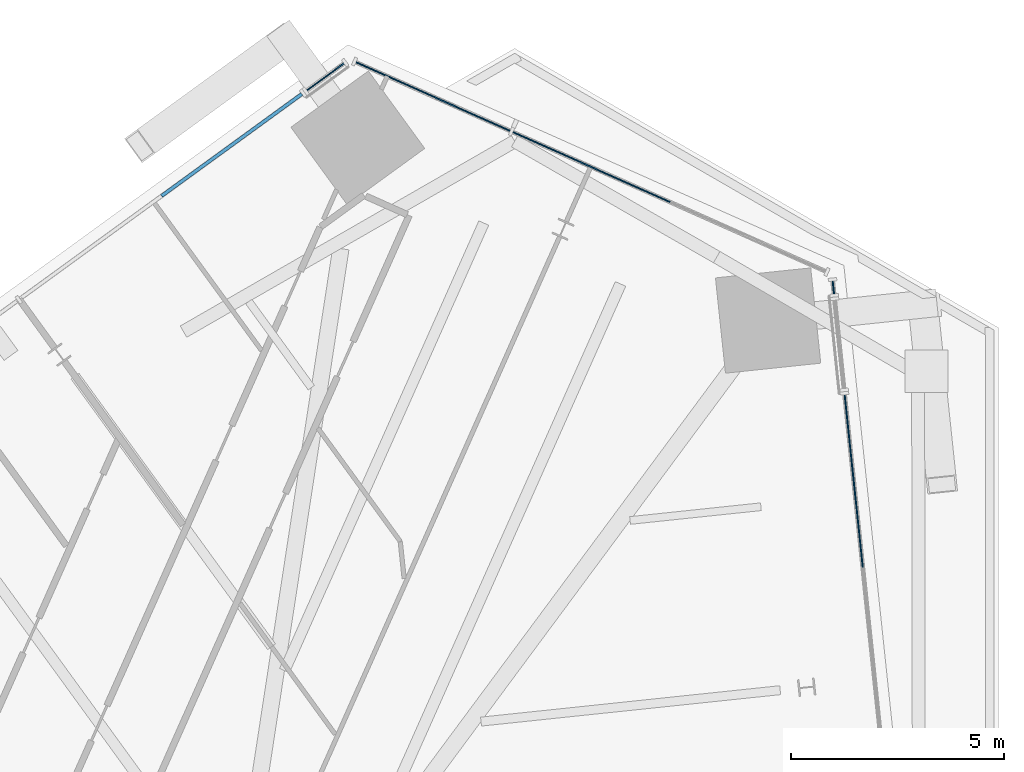
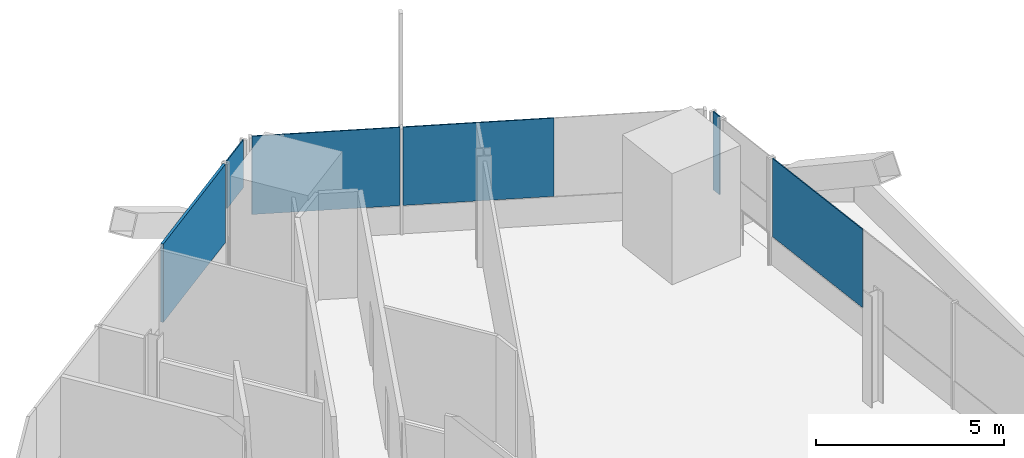
# One storey, part 14 of 24: 6 plates, 5 elements without a shape of their own.
"""IFC4 building model written with IfcOpenShell, lengths in metres."""

from ifc_helpers import new_model, si_unit, direction, frame, origin, origin_2d, place, context, subcontext, project, spatial, rectangle, extrude, source, transform, mapped, material, layer, layer_set, type_object, element, aggregate, save


model = new_model("IFC4")

# Units and contexts
model_context = context("Model", 3, precision=1e-05, world=origin(), true_north=direction((0.0, 1.0)))
body_context = subcontext(model_context, "Body", "Model", "MODEL_VIEW")
ifc_project = project(units=[si_unit("LENGTHUNIT", "METRE"), si_unit("AREAUNIT", "SQUARE_METRE"), si_unit("VOLUMEUNIT", "CUBIC_METRE"), si_unit("PLANEANGLEUNIT", "RADIAN"), si_unit("MASSUNIT", "GRAM", prefix="KILO")], contexts=[model_context])

# Site, building, storey
site_placement = place(None, origin())
site = spatial("IfcSite", under=ifc_project, at=site_placement, CompositionType="ELEMENT")
building_placement = place(site_placement, origin())
building = spatial("IfcBuilding", under=site, at=building_placement, Name="Triune Harvest Tower", CompositionType="ELEMENT")
storey_placement = place(building_placement, frame((0.0, 0.0, 58.5)))
storey = spatial("IfcBuildingStorey", under=building, at=storey_placement, Name="L13", CompositionType="ELEMENT", Elevation=58.5)

# Curtain wall, plate
ifc_material_1 = material(Name="Aluminium bronze anodised", Category="aluminium")
curtain_wall_type_1 = type_object("IfcCurtainWallType", Name="CW-1 Tower stick curtain wall", PredefinedType="NOTDEFINED", material=ifc_material_1)
curtain_wall_1_placement = place(storey_placement, origin())
curtain_wall_1 = element("IfcCurtainWall", 1, at=curtain_wall_1_placement, inside=storey, type_object=curtain_wall_type_1, Name="CW-1 B2-F3 L13 run 1")
ifc_material_2 = material(Name="Glass", Category="glass")
ifc_layer_1 = layer(ifc_material_2, 0.031982421875)
ifc_layer_set_1 = layer_set([ifc_layer_1], Name="Glass")
plate_type_1 = type_object("IfcPlateType", Name="GL-1 panel 32", PredefinedType="CURTAIN_PANEL", material=ifc_layer_set_1)
shared_shape_1 = source(origin(), body_context, "Body", "SweptSolid", [
    extrude(rectangle(XDim=1.07177734375, YDim=0.031982421875, at=origin_2d()), origin(), (0.0, 0.0, 1.0), 1.554931640625),
])
plate_1_placement = place(storey_placement, frame((7.864990234375, 33.770263671875, 1.88525390625), z_axis=(0.0, 0.0, 1.0), x_axis=(-0.809012047405, -0.587792061152, 0.0)))
plate_1 = element("IfcPlate", 2, at=plate_1_placement, type_object=plate_type_1, Name="CW-1 panel B2-F3 1.1", PredefinedType="CURTAIN_PANEL", context=body_context, shape_type="MappedRepresentation", body=[
    mapped(shared_shape_1, transform((0.0, 0.0, 0.0), scale=1.0)),
])
aggregate(curtain_wall_1, [plate_1])

ifc_material_3 = material(Name="Aluminium bronze anodised", Category="aluminium")
curtain_wall_type_2 = type_object("IfcCurtainWallType", Name="CW-7 Tower stick curtain wall with insulated spandrel infill", PredefinedType="NOTDEFINED", material=ifc_material_3)
curtain_wall_2_placement = place(storey_placement, origin())
curtain_wall_2 = element("IfcCurtainWall", 3, at=curtain_wall_2_placement, inside=storey, type_object=curtain_wall_type_2, Name="CW-7 B2-F3 L13 run 101")
ifc_material_4 = material(Name="Insulated spandrel panel, bronze aluminium pan", Category="aluminium")
ifc_layer_2 = layer(ifc_material_4, 0.080078125)
ifc_layer_set_2 = layer_set([ifc_layer_2], Name="Insulated spandrel panel, bronze aluminium pan")
plate_type_2 = type_object("IfcPlateType", Name="SP-1 insulated spandrel panel 80", PredefinedType="CURTAIN_PANEL", material=ifc_layer_set_2)
shared_shape_2 = source(origin(), body_context, "Body", "SweptSolid", [
    extrude(rectangle(XDim=4.070068359375, YDim=0.080078125, at=origin_2d()), origin(), (0.0, 0.0, 1.0), 2.5400390625),
])
plate_2_placement = place(storey_placement, frame((5.66357421875, 32.1708984375, 0.89990234375), z_axis=(0.0, 0.0, 1.0), x_axis=(-0.809018452885, -0.587783244821, 0.0)))
plate_2 = element("IfcPlate", 4, at=plate_2_placement, type_object=plate_type_2, Name="CW-7 panel B2-F3 101.1", PredefinedType="CURTAIN_PANEL", context=body_context, shape_type="MappedRepresentation", body=[
    mapped(shared_shape_2, transform((0.0, 0.0, 0.0), scale=1.0)),
])
aggregate(curtain_wall_2, [plate_2])

curtain_wall_3_placement = place(storey_placement, origin())
curtain_wall_3 = element("IfcCurtainWall", 5, at=curtain_wall_3_placement, inside=storey, type_object=curtain_wall_type_1, Name="CW-1 B2-F1 L13 run 1101")
shared_shape_3 = source(origin(), body_context, "Body", "SweptSolid", [
    extrude(rectangle(XDim=4.070068359375, YDim=0.031982421875, at=origin_2d()), origin(), (0.0, 0.0, 1.0), 2.5400390625),
])
plate_3_placement = place(storey_placement, frame((20.270751953125, 24.280517578125, 0.89990234375), z_axis=(0.0, 0.0, 1.0), x_axis=(-0.104528432145, 0.994521898639, 0.0)))
plate_3 = element("IfcPlate", 6, at=plate_3_placement, type_object=plate_type_1, Name="CW-1 panel B2-F1 1101.8", PredefinedType="CURTAIN_PANEL", context=body_context, shape_type="MappedRepresentation", body=[
    mapped(shared_shape_3, transform((0.0, 0.0, 0.0), scale=1.0)),
])
aggregate(curtain_wall_3, [plate_3])

curtain_wall_4_placement = place(storey_placement, origin())
curtain_wall_4 = element("IfcCurtainWall", 7, at=curtain_wall_4_placement, inside=storey, type_object=curtain_wall_type_1, Name="CW-1 B2-F1 L13 run 301")
shared_shape_4 = source(origin(), body_context, "Body", "SweptSolid", [
    extrude(rectangle(XDim=0.3017578125, YDim=0.031982421875, at=origin_2d()), origin(), (0.0, 0.0, 1.0), 2.5400390625),
])
plate_4_placement = place(storey_placement, frame((19.793212890625, 28.824462890625, 0.89990234375), z_axis=(0.0, 0.0, 1.0), x_axis=(-0.104477379959, 0.994527263114, 0.0)))
plate_4 = element("IfcPlate", 8, at=plate_4_placement, type_object=plate_type_1, Name="CW-1 panel B2-F1 301.1", PredefinedType="CURTAIN_PANEL", context=body_context, shape_type="MappedRepresentation", body=[
    mapped(shared_shape_4, transform((0.0, 0.0, 0.0), scale=1.0)),
])
aggregate(curtain_wall_4, [plate_4])

# Curtain wall, plates
curtain_wall_5_placement = place(storey_placement, origin())
curtain_wall_5 = element("IfcCurtainWall", 9, at=curtain_wall_5_placement, inside=storey, type_object=curtain_wall_type_1, Name="CW-1 B2-F2 L13 run 1")
shared_shape_5 = source(origin(), body_context, "Body", "SweptSolid", [
    extrude(rectangle(XDim=4.035888671875, YDim=0.031982421875, at=origin_2d()), origin(), (0.0, 0.0, 1.0), 2.5400390625),
])
plate_5_placement = place(storey_placement, frame((14.11328125, 31.65283203125, 0.89990234375), z_axis=(0.0, 0.0, 1.0), x_axis=(-0.913546644034, 0.406733978386, 0.0)))
plate_5 = element("IfcPlate", 10, at=plate_5_placement, type_object=plate_type_1, Name="CW-1 panel B2-F2 1.2", PredefinedType="CURTAIN_PANEL", context=body_context, shape_type="MappedRepresentation", body=[
    mapped(shared_shape_5, transform((0.0, 0.0, 0.0), scale=1.0)),
])
shared_shape_6 = source(origin(), body_context, "Body", "SweptSolid", [
    extrude(rectangle(XDim=3.9609375, YDim=0.031982421875, at=origin_2d()), origin(), (0.0, 0.0, 1.0), 2.5400390625),
])
plate_6_placement = place(storey_placement, frame((10.39208984375, 33.3095703125, 0.89990234375), z_axis=(0.0, 0.0, 1.0), x_axis=(-0.913546644034, 0.406733978386, 0.0)))
plate_6 = element("IfcPlate", 11, at=plate_6_placement, type_object=plate_type_1, Name="CW-1 panel B2-F2 1.3", PredefinedType="CURTAIN_PANEL", context=body_context, shape_type="MappedRepresentation", body=[
    mapped(shared_shape_6, transform((0.0, 0.0, 0.0), scale=1.0)),
])
aggregate(curtain_wall_5, [plate_5, plate_6])

save(model, "model.ifc")
